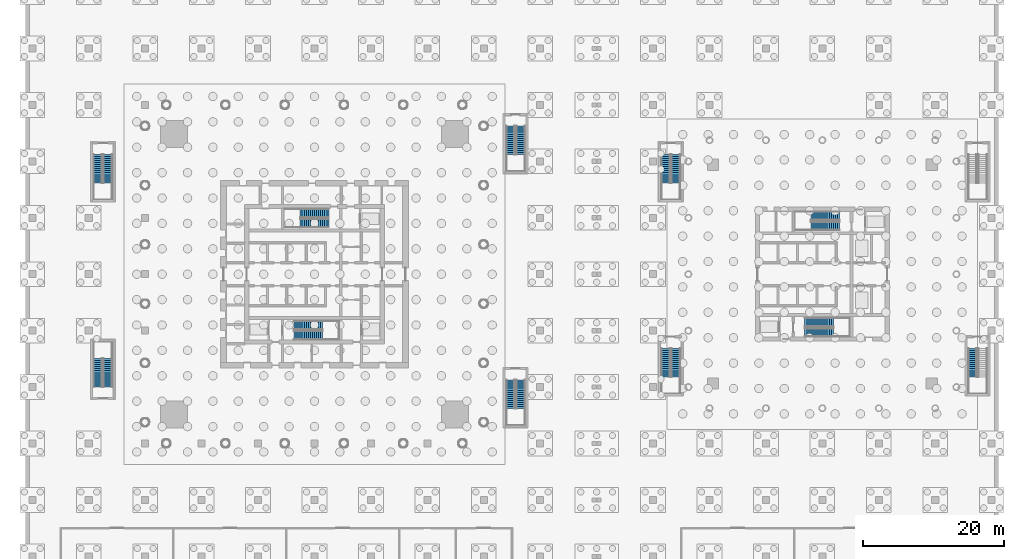
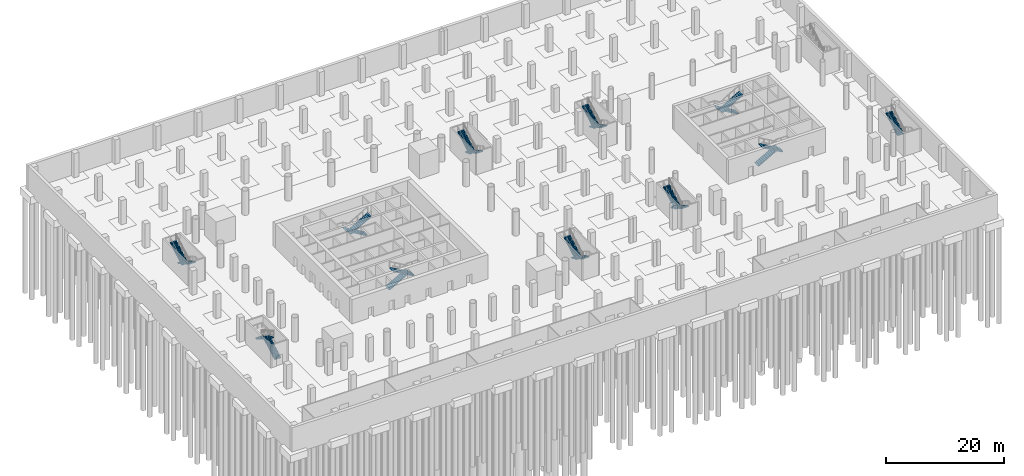
# One storey, part 19 of 24: 21 stair flights, 11 elements without a shape of their own.
"""IFC4 building model written with IfcOpenShell, lengths in metres."""

from ifc_helpers import new_model, si_unit, direction, frame, origin, place, context, subcontext, project, spatial, polyline, outline, extrude, material, type_object, element, aggregate, save


model = new_model("IFC4")

# Units and contexts
model_context = context("Model", 3, precision=1e-05, world=origin(), true_north=direction((0.0, 1.0)))
body_context = subcontext(model_context, "Body", "Model", "MODEL_VIEW")
ifc_project = project(units=[si_unit("LENGTHUNIT", "METRE"), si_unit("AREAUNIT", "SQUARE_METRE"), si_unit("VOLUMEUNIT", "CUBIC_METRE"), si_unit("PLANEANGLEUNIT", "RADIAN"), si_unit("MASSUNIT", "GRAM", prefix="KILO")], contexts=[model_context])

# Site, building, storey
site_placement = place(None, origin())
site = spatial("IfcSite", under=ifc_project, at=site_placement, CompositionType="ELEMENT")
building_placement = place(site_placement, origin())
building = spatial("IfcBuilding", under=site, at=building_placement, Name="Ostroluk Exchange", CompositionType="ELEMENT")
storey_placement = place(building_placement, frame((0.0, 0.0, -10.0)))
storey = spatial("IfcBuildingStorey", under=building, at=storey_placement, Name="B2", CompositionType="ELEMENT", Elevation=-10.0)

# Stair, stair flights
ifc_material_1 = material(Name="Concrete C30/37", Category="concrete")
stair_type = type_object("IfcStairType", Name="Exit stair half turn 5000", PredefinedType="HALF_TURN_STAIR", material=ifc_material_1)
stair_1_placement = place(storey_placement, origin())
stair_1 = element("IfcStair", 1, at=stair_1_placement, inside=storey, type_object=stair_type, Name="Stair T1-S1 B2", PredefinedType="HALF_TURN_STAIR")
ifc_material_2 = material(Name="Concrete C30/37", Category="concrete")
stair_flight_type = type_object("IfcStairFlightType", Name="Stair flight 15 risers 166.7 x 290", PredefinedType="STRAIGHT", material=ifc_material_2)
stair_flight_1_placement = place(storey_placement, frame((42.10009765625, 38.77490234375, 0.0), z_axis=(0.0, 0.0, 1.0), x_axis=(1.0, 0.0, 0.0)))
stair_flight_1 = element("IfcStairFlight", 2, at=stair_flight_1_placement, type_object=stair_flight_type, Name="T1-S1 flight 1", NumberOfRisers=15, NumberOfTreads=14, PredefinedType="STRAIGHT", RiserHeight=0.166666667, TreadLength=0.29, context=body_context, shape_type="SweptSolid", body=[
    extrude(outline(polyline([(0.0, 0.0), (0.0, 0.166748046875), (0.2900390625, 0.166748046875), (0.2900390625, 0.333251953125), (0.580078125, 0.333251953125), (0.580078125, 0.5), (0.8701171875, 0.5), (0.8701171875, 0.666748046875), (1.159912109375, 0.666748046875), (1.159912109375, 0.833251953125), (1.449951171875, 0.833251953125), (1.449951171875, 1.0), (1.739990234375, 1.0), (1.739990234375, 1.166748046875), (2.030029296875, 1.166748046875), (2.030029296875, 1.333251953125), (2.320068359375, 1.333251953125), (2.320068359375, 1.5), (2.610107421875, 1.5), (2.610107421875, 1.666748046875), (2.89990234375, 1.666748046875), (2.89990234375, 1.833251953125), (3.18994140625, 1.833251953125), (3.18994140625, 2.0), (3.47998046875, 2.0), (3.47998046875, 2.166748046875), (3.77001953125, 2.166748046875), (3.77001953125, 2.333251953125), (4.06005859375, 2.333251953125), (4.06005859375, 2.5), (4.06005859375, 2.160400390625), (0.30078125, 0.0), (0.0, 0.0)])), frame((0.0, 0.625, 0.0), z_axis=(0.0, -1.0, 0.0), x_axis=(1.0, 0.0, 0.0)), (0.0, 0.0, 1.0), 1.25),
])
stair_flight_2_placement = place(storey_placement, frame((46.159912109375, 37.324951171875, 2.5), z_axis=(0.0, 0.0, 1.0), x_axis=(-1.0, 0.0, 0.0)))
stair_flight_2 = element("IfcStairFlight", 3, at=stair_flight_2_placement, type_object=stair_flight_type, Name="T1-S1 flight 2", NumberOfRisers=15, NumberOfTreads=14, PredefinedType="STRAIGHT", RiserHeight=0.166666667, TreadLength=0.29, context=body_context, shape_type="SweptSolid", body=[
    extrude(outline(polyline([(0.0, 0.0), (0.0, 0.166748046875), (0.2900390625, 0.166748046875), (0.2900390625, 0.333251953125), (0.580078125, 0.333251953125), (0.580078125, 0.5), (0.8701171875, 0.5), (0.8701171875, 0.666748046875), (1.159912109375, 0.666748046875), (1.159912109375, 0.833251953125), (1.449951171875, 0.833251953125), (1.449951171875, 1.0), (1.739990234375, 1.0), (1.739990234375, 1.166748046875), (2.030029296875, 1.166748046875), (2.030029296875, 1.333251953125), (2.320068359375, 1.333251953125), (2.320068359375, 1.5), (2.610107421875, 1.5), (2.610107421875, 1.666748046875), (2.89990234375, 1.666748046875), (2.89990234375, 1.833251953125), (3.18994140625, 1.833251953125), (3.18994140625, 2.0), (3.47998046875, 2.0), (3.47998046875, 2.166748046875), (3.77001953125, 2.166748046875), (3.77001953125, 2.333251953125), (4.06005859375, 2.333251953125), (4.06005859375, 2.5), (4.06005859375, 2.160400390625), (0.30078125, 0.0), (0.0, 0.0)])), frame((0.0, 0.625, 0.0), z_axis=(0.0, -1.0, 0.0), x_axis=(1.0, 0.0, 0.0)), (0.0, 0.0, 1.0), 1.25),
])
aggregate(stair_1, [stair_flight_1, stair_flight_2])

stair_2_placement = place(storey_placement, origin())
stair_2 = element("IfcStair", 4, at=stair_2_placement, inside=storey, type_object=stair_type, Name="Stair T1-S2 B2", PredefinedType="HALF_TURN_STAIR")
stair_flight_3_placement = place(storey_placement, frame((47.030029296875, 54.675048828125, 0.0), z_axis=(0.0, 0.0, 1.0), x_axis=(-1.0, 0.0, 0.0)))
stair_flight_3 = element("IfcStairFlight", 5, at=stair_flight_3_placement, type_object=stair_flight_type, Name="T1-S2 flight 1", NumberOfRisers=15, NumberOfTreads=14, PredefinedType="STRAIGHT", RiserHeight=0.166666667, TreadLength=0.29, context=body_context, shape_type="SweptSolid", body=[
    extrude(outline(polyline([(0.0, 0.0), (0.0, 0.166748046875), (0.2900390625, 0.166748046875), (0.2900390625, 0.333251953125), (0.580078125, 0.333251953125), (0.580078125, 0.5), (0.8701171875, 0.5), (0.8701171875, 0.666748046875), (1.159912109375, 0.666748046875), (1.159912109375, 0.833251953125), (1.449951171875, 0.833251953125), (1.449951171875, 1.0), (1.739990234375, 1.0), (1.739990234375, 1.166748046875), (2.030029296875, 1.166748046875), (2.030029296875, 1.333251953125), (2.320068359375, 1.333251953125), (2.320068359375, 1.5), (2.610107421875, 1.5), (2.610107421875, 1.666748046875), (2.89990234375, 1.666748046875), (2.89990234375, 1.833251953125), (3.18994140625, 1.833251953125), (3.18994140625, 2.0), (3.47998046875, 2.0), (3.47998046875, 2.166748046875), (3.77001953125, 2.166748046875), (3.77001953125, 2.333251953125), (4.06005859375, 2.333251953125), (4.06005859375, 2.5), (4.06005859375, 2.160400390625), (0.30078125, 0.0), (0.0, 0.0)])), frame((0.0, 0.625, 0.0), z_axis=(0.0, -1.0, 0.0), x_axis=(1.0, 0.0, 0.0)), (0.0, 0.0, 1.0), 1.25),
])
stair_flight_4_placement = place(storey_placement, frame((42.969970703125, 53.22509765625, 2.5), z_axis=(0.0, 0.0, 1.0), x_axis=(1.0, 0.0, 0.0)))
stair_flight_4 = element("IfcStairFlight", 6, at=stair_flight_4_placement, type_object=stair_flight_type, Name="T1-S2 flight 2", NumberOfRisers=15, NumberOfTreads=14, PredefinedType="STRAIGHT", RiserHeight=0.166666667, TreadLength=0.29, context=body_context, shape_type="SweptSolid", body=[
    extrude(outline(polyline([(0.0, 0.0), (0.0, 0.166748046875), (0.2900390625, 0.166748046875), (0.2900390625, 0.333251953125), (0.580078125, 0.333251953125), (0.580078125, 0.5), (0.8701171875, 0.5), (0.8701171875, 0.666748046875), (1.159912109375, 0.666748046875), (1.159912109375, 0.833251953125), (1.449951171875, 0.833251953125), (1.449951171875, 1.0), (1.739990234375, 1.0), (1.739990234375, 1.166748046875), (2.030029296875, 1.166748046875), (2.030029296875, 1.333251953125), (2.320068359375, 1.333251953125), (2.320068359375, 1.5), (2.610107421875, 1.5), (2.610107421875, 1.666748046875), (2.89990234375, 1.666748046875), (2.89990234375, 1.833251953125), (3.18994140625, 1.833251953125), (3.18994140625, 2.0), (3.47998046875, 2.0), (3.47998046875, 2.166748046875), (3.77001953125, 2.166748046875), (3.77001953125, 2.333251953125), (4.06005859375, 2.333251953125), (4.06005859375, 2.5), (4.06005859375, 2.160400390625), (0.30078125, 0.0), (0.0, 0.0)])), frame((0.0, 0.625, 0.0), z_axis=(0.0, -1.0, 0.0), x_axis=(1.0, 0.0, 0.0)), (0.0, 0.0, 1.0), 1.25),
])
aggregate(stair_2, [stair_flight_3, stair_flight_4])

stair_3_placement = place(storey_placement, origin())
stair_3 = element("IfcStair", 7, at=stair_3_placement, inside=storey, type_object=stair_type, Name="Stair T2-S1 B2", PredefinedType="HALF_TURN_STAIR")
stair_flight_5_placement = place(storey_placement, frame((114.5, 39.175048828125, 0.0), z_axis=(0.0, 0.0, 1.0), x_axis=(1.0, 0.0, 0.0)))
stair_flight_5 = element("IfcStairFlight", 8, at=stair_flight_5_placement, type_object=stair_flight_type, Name="T2-S1 flight 1", NumberOfRisers=15, NumberOfTreads=14, PredefinedType="STRAIGHT", RiserHeight=0.166666667, TreadLength=0.29, context=body_context, shape_type="SweptSolid", body=[
    extrude(outline(polyline([(0.0, 0.0), (0.0, 0.166748046875), (0.2900390625, 0.166748046875), (0.2900390625, 0.333251953125), (0.580078125, 0.333251953125), (0.580078125, 0.5), (0.8701171875, 0.5), (0.8701171875, 0.666748046875), (1.159912109375, 0.666748046875), (1.159912109375, 0.833251953125), (1.449951171875, 0.833251953125), (1.449951171875, 1.0), (1.739990234375, 1.0), (1.739990234375, 1.166748046875), (2.030029296875, 1.166748046875), (2.030029296875, 1.333251953125), (2.320068359375, 1.333251953125), (2.320068359375, 1.5), (2.610107421875, 1.5), (2.610107421875, 1.666748046875), (2.89990234375, 1.666748046875), (2.89990234375, 1.833251953125), (3.18994140625, 1.833251953125), (3.18994140625, 2.0), (3.47998046875, 2.0), (3.47998046875, 2.166748046875), (3.77001953125, 2.166748046875), (3.77001953125, 2.333251953125), (4.06005859375, 2.333251953125), (4.06005859375, 2.5), (4.06005859375, 2.160400390625), (0.30078125, 0.0), (0.0, 0.0)])), frame((0.0, 0.625, 0.0), z_axis=(0.0, -1.0, 0.0), x_axis=(1.0, 0.0, 0.0)), (0.0, 0.0, 1.0), 1.25),
])
stair_flight_6_placement = place(storey_placement, frame((118.56005859375, 37.72509765625, 2.5), z_axis=(0.0, 0.0, 1.0), x_axis=(-1.0, 0.0, 0.0)))
stair_flight_6 = element("IfcStairFlight", 9, at=stair_flight_6_placement, type_object=stair_flight_type, Name="T2-S1 flight 2", NumberOfRisers=15, NumberOfTreads=14, PredefinedType="STRAIGHT", RiserHeight=0.166666667, TreadLength=0.29, context=body_context, shape_type="SweptSolid", body=[
    extrude(outline(polyline([(0.0, 0.0), (0.0, 0.166748046875), (0.2900390625, 0.166748046875), (0.2900390625, 0.333251953125), (0.580078125, 0.333251953125), (0.580078125, 0.5), (0.8701171875, 0.5), (0.8701171875, 0.666748046875), (1.159912109375, 0.666748046875), (1.159912109375, 0.833251953125), (1.449951171875, 0.833251953125), (1.449951171875, 1.0), (1.739990234375, 1.0), (1.739990234375, 1.166748046875), (2.030029296875, 1.166748046875), (2.030029296875, 1.333251953125), (2.320068359375, 1.333251953125), (2.320068359375, 1.5), (2.610107421875, 1.5), (2.610107421875, 1.666748046875), (2.89990234375, 1.666748046875), (2.89990234375, 1.833251953125), (3.18994140625, 1.833251953125), (3.18994140625, 2.0), (3.47998046875, 2.0), (3.47998046875, 2.166748046875), (3.77001953125, 2.166748046875), (3.77001953125, 2.333251953125), (4.06005859375, 2.333251953125), (4.06005859375, 2.5), (4.06005859375, 2.160400390625), (0.30078125, 0.0), (0.0, 0.0)])), frame((0.0, 0.625, 0.0), z_axis=(0.0, -1.0, 0.0), x_axis=(1.0, 0.0, 0.0)), (0.0, 0.0, 1.0), 1.25),
])
aggregate(stair_3, [stair_flight_5, stair_flight_6])

stair_4_placement = place(storey_placement, origin())
stair_4 = element("IfcStair", 10, at=stair_4_placement, inside=storey, type_object=stair_type, Name="Stair T2-S2 B2", PredefinedType="HALF_TURN_STAIR")
stair_flight_7_placement = place(storey_placement, frame((119.429931640625, 54.27490234375, 0.0), z_axis=(0.0, 0.0, 1.0), x_axis=(-1.0, 0.0, 0.0)))
stair_flight_7 = element("IfcStairFlight", 11, at=stair_flight_7_placement, type_object=stair_flight_type, Name="T2-S2 flight 1", NumberOfRisers=15, NumberOfTreads=14, PredefinedType="STRAIGHT", RiserHeight=0.166666667, TreadLength=0.29, context=body_context, shape_type="SweptSolid", body=[
    extrude(outline(polyline([(0.0, 0.0), (0.0, 0.166748046875), (0.2900390625, 0.166748046875), (0.2900390625, 0.333251953125), (0.580078125, 0.333251953125), (0.580078125, 0.5), (0.8701171875, 0.5), (0.8701171875, 0.666748046875), (1.159912109375, 0.666748046875), (1.159912109375, 0.833251953125), (1.449951171875, 0.833251953125), (1.449951171875, 1.0), (1.739990234375, 1.0), (1.739990234375, 1.166748046875), (2.030029296875, 1.166748046875), (2.030029296875, 1.333251953125), (2.320068359375, 1.333251953125), (2.320068359375, 1.5), (2.610107421875, 1.5), (2.610107421875, 1.666748046875), (2.89990234375, 1.666748046875), (2.89990234375, 1.833251953125), (3.18994140625, 1.833251953125), (3.18994140625, 2.0), (3.47998046875, 2.0), (3.47998046875, 2.166748046875), (3.77001953125, 2.166748046875), (3.77001953125, 2.333251953125), (4.06005859375, 2.333251953125), (4.06005859375, 2.5), (4.06005859375, 2.160400390625), (0.30078125, 0.0), (0.0, 0.0)])), frame((0.0, 0.625, 0.0), z_axis=(0.0, -1.0, 0.0), x_axis=(1.0, 0.0, 0.0)), (0.0, 0.0, 1.0), 1.25),
])
stair_flight_8_placement = place(storey_placement, frame((115.3701171875, 52.824951171875, 2.5), z_axis=(0.0, 0.0, 1.0), x_axis=(1.0, 0.0, 0.0)))
stair_flight_8 = element("IfcStairFlight", 12, at=stair_flight_8_placement, type_object=stair_flight_type, Name="T2-S2 flight 2", NumberOfRisers=15, NumberOfTreads=14, PredefinedType="STRAIGHT", RiserHeight=0.166666667, TreadLength=0.29, context=body_context, shape_type="SweptSolid", body=[
    extrude(outline(polyline([(0.0, 0.0), (0.0, 0.166748046875), (0.2900390625, 0.166748046875), (0.2900390625, 0.333251953125), (0.580078125, 0.333251953125), (0.580078125, 0.5), (0.8701171875, 0.5), (0.8701171875, 0.666748046875), (1.159912109375, 0.666748046875), (1.159912109375, 0.833251953125), (1.449951171875, 0.833251953125), (1.449951171875, 1.0), (1.739990234375, 1.0), (1.739990234375, 1.166748046875), (2.030029296875, 1.166748046875), (2.030029296875, 1.333251953125), (2.320068359375, 1.333251953125), (2.320068359375, 1.5), (2.610107421875, 1.5), (2.610107421875, 1.666748046875), (2.89990234375, 1.666748046875), (2.89990234375, 1.833251953125), (3.18994140625, 1.833251953125), (3.18994140625, 2.0), (3.47998046875, 2.0), (3.47998046875, 2.166748046875), (3.77001953125, 2.166748046875), (3.77001953125, 2.333251953125), (4.06005859375, 2.333251953125), (4.06005859375, 2.5), (4.06005859375, 2.160400390625), (0.30078125, 0.0), (0.0, 0.0)])), frame((0.0, 0.625, 0.0), z_axis=(0.0, -1.0, 0.0), x_axis=(1.0, 0.0, 0.0)), (0.0, 0.0, 1.0), 1.25),
])
aggregate(stair_4, [stair_flight_7, stair_flight_8])

stair_5_placement = place(storey_placement, origin())
stair_5 = element("IfcStair", 13, at=stair_5_placement, inside=storey, type_object=stair_type, Name="Stair PS1 B2", PredefinedType="HALF_TURN_STAIR")
stair_flight_9_placement = place(storey_placement, frame((15.72509765625, 30.0, 0.0), z_axis=(0.0, 0.0, 1.0), x_axis=(0.0, 1.0, 0.0)))
stair_flight_9 = element("IfcStairFlight", 14, at=stair_flight_9_placement, type_object=stair_flight_type, Name="PS1 flight 1", NumberOfRisers=15, NumberOfTreads=14, PredefinedType="STRAIGHT", RiserHeight=0.166666667, TreadLength=0.29, context=body_context, shape_type="SweptSolid", body=[
    extrude(outline(polyline([(0.0, 0.0), (0.0, 0.166748046875), (0.2900390625, 0.166748046875), (0.2900390625, 0.333251953125), (0.580078125, 0.333251953125), (0.580078125, 0.5), (0.8701171875, 0.5), (0.8701171875, 0.666748046875), (1.159912109375, 0.666748046875), (1.159912109375, 0.833251953125), (1.449951171875, 0.833251953125), (1.449951171875, 1.0), (1.739990234375, 1.0), (1.739990234375, 1.166748046875), (2.030029296875, 1.166748046875), (2.030029296875, 1.333251953125), (2.320068359375, 1.333251953125), (2.320068359375, 1.5), (2.610107421875, 1.5), (2.610107421875, 1.666748046875), (2.89990234375, 1.666748046875), (2.89990234375, 1.833251953125), (3.18994140625, 1.833251953125), (3.18994140625, 2.0), (3.47998046875, 2.0), (3.47998046875, 2.166748046875), (3.77001953125, 2.166748046875), (3.77001953125, 2.333251953125), (4.06005859375, 2.333251953125), (4.06005859375, 2.5), (4.06005859375, 2.160400390625), (0.30078125, 0.0), (0.0, 0.0)])), frame((0.0, 0.625, 0.0), z_axis=(0.0, -1.0, 0.0), x_axis=(1.0, 0.0, 0.0)), (0.0, 0.0, 1.0), 1.25),
])
stair_flight_10_placement = place(storey_placement, frame((14.27490234375, 34.06005859375, 2.5), z_axis=(0.0, 0.0, 1.0), x_axis=(0.0, -1.0, 0.0)))
stair_flight_10 = element("IfcStairFlight", 15, at=stair_flight_10_placement, type_object=stair_flight_type, Name="PS1 flight 2", NumberOfRisers=15, NumberOfTreads=14, PredefinedType="STRAIGHT", RiserHeight=0.166666667, TreadLength=0.29, context=body_context, shape_type="SweptSolid", body=[
    extrude(outline(polyline([(0.0, 0.0), (0.0, 0.166748046875), (0.2900390625, 0.166748046875), (0.2900390625, 0.333251953125), (0.580078125, 0.333251953125), (0.580078125, 0.5), (0.8701171875, 0.5), (0.8701171875, 0.666748046875), (1.159912109375, 0.666748046875), (1.159912109375, 0.833251953125), (1.449951171875, 0.833251953125), (1.449951171875, 1.0), (1.739990234375, 1.0), (1.739990234375, 1.166748046875), (2.030029296875, 1.166748046875), (2.030029296875, 1.333251953125), (2.320068359375, 1.333251953125), (2.320068359375, 1.5), (2.610107421875, 1.5), (2.610107421875, 1.666748046875), (2.89990234375, 1.666748046875), (2.89990234375, 1.833251953125), (3.18994140625, 1.833251953125), (3.18994140625, 2.0), (3.47998046875, 2.0), (3.47998046875, 2.166748046875), (3.77001953125, 2.166748046875), (3.77001953125, 2.333251953125), (4.06005859375, 2.333251953125), (4.06005859375, 2.5), (4.06005859375, 2.160400390625), (0.30078125, 0.0), (0.0, 0.0)])), frame((0.0, 0.625, 0.0), z_axis=(0.0, -1.0, 0.0), x_axis=(1.0, 0.0, 0.0)), (0.0, 0.0, 1.0), 1.25),
])
aggregate(stair_5, [stair_flight_9, stair_flight_10])

stair_6_placement = place(storey_placement, origin())
stair_6 = element("IfcStair", 16, at=stair_6_placement, inside=storey, type_object=stair_type, Name="Stair PS2 B2", PredefinedType="HALF_TURN_STAIR")
stair_flight_11_placement = place(storey_placement, frame((15.72509765625, 63.0, 0.0), z_axis=(0.0, 0.0, 1.0), x_axis=(0.0, -1.0, 0.0)))
stair_flight_11 = element("IfcStairFlight", 17, at=stair_flight_11_placement, type_object=stair_flight_type, Name="PS2 flight 1", NumberOfRisers=15, NumberOfTreads=14, PredefinedType="STRAIGHT", RiserHeight=0.166666667, TreadLength=0.29, context=body_context, shape_type="SweptSolid", body=[
    extrude(outline(polyline([(0.0, 0.0), (0.0, 0.166748046875), (0.2900390625, 0.166748046875), (0.2900390625, 0.333251953125), (0.580078125, 0.333251953125), (0.580078125, 0.5), (0.8701171875, 0.5), (0.8701171875, 0.666748046875), (1.159912109375, 0.666748046875), (1.159912109375, 0.833251953125), (1.449951171875, 0.833251953125), (1.449951171875, 1.0), (1.739990234375, 1.0), (1.739990234375, 1.166748046875), (2.030029296875, 1.166748046875), (2.030029296875, 1.333251953125), (2.320068359375, 1.333251953125), (2.320068359375, 1.5), (2.610107421875, 1.5), (2.610107421875, 1.666748046875), (2.89990234375, 1.666748046875), (2.89990234375, 1.833251953125), (3.18994140625, 1.833251953125), (3.18994140625, 2.0), (3.47998046875, 2.0), (3.47998046875, 2.166748046875), (3.77001953125, 2.166748046875), (3.77001953125, 2.333251953125), (4.06005859375, 2.333251953125), (4.06005859375, 2.5), (4.06005859375, 2.160400390625), (0.30078125, 0.0), (0.0, 0.0)])), frame((0.0, 0.625, 0.0), z_axis=(0.0, -1.0, 0.0), x_axis=(1.0, 0.0, 0.0)), (0.0, 0.0, 1.0), 1.25),
])
stair_flight_12_placement = place(storey_placement, frame((14.27490234375, 58.93994140625, 2.5), z_axis=(0.0, 0.0, 1.0), x_axis=(0.0, 1.0, 0.0)))
stair_flight_12 = element("IfcStairFlight", 18, at=stair_flight_12_placement, type_object=stair_flight_type, Name="PS2 flight 2", NumberOfRisers=15, NumberOfTreads=14, PredefinedType="STRAIGHT", RiserHeight=0.166666667, TreadLength=0.29, context=body_context, shape_type="SweptSolid", body=[
    extrude(outline(polyline([(0.0, 0.0), (0.0, 0.166748046875), (0.2900390625, 0.166748046875), (0.2900390625, 0.333251953125), (0.580078125, 0.333251953125), (0.580078125, 0.5), (0.8701171875, 0.5), (0.8701171875, 0.666748046875), (1.159912109375, 0.666748046875), (1.159912109375, 0.833251953125), (1.449951171875, 0.833251953125), (1.449951171875, 1.0), (1.739990234375, 1.0), (1.739990234375, 1.166748046875), (2.030029296875, 1.166748046875), (2.030029296875, 1.333251953125), (2.320068359375, 1.333251953125), (2.320068359375, 1.5), (2.610107421875, 1.5), (2.610107421875, 1.666748046875), (2.89990234375, 1.666748046875), (2.89990234375, 1.833251953125), (3.18994140625, 1.833251953125), (3.18994140625, 2.0), (3.47998046875, 2.0), (3.47998046875, 2.166748046875), (3.77001953125, 2.166748046875), (3.77001953125, 2.333251953125), (4.06005859375, 2.333251953125), (4.06005859375, 2.5), (4.06005859375, 2.160400390625), (0.30078125, 0.0), (0.0, 0.0)])), frame((0.0, 0.625, 0.0), z_axis=(0.0, -1.0, 0.0), x_axis=(1.0, 0.0, 0.0)), (0.0, 0.0, 1.0), 1.25),
])
aggregate(stair_6, [stair_flight_11, stair_flight_12])

stair_7_placement = place(storey_placement, origin())
stair_7 = element("IfcStair", 19, at=stair_7_placement, inside=storey, type_object=stair_type, Name="Stair PS3 B2", PredefinedType="HALF_TURN_STAIR")
stair_flight_13_placement = place(storey_placement, frame((74.22509765625, 31.0, 0.0), z_axis=(0.0, 0.0, 1.0), x_axis=(0.0, -1.0, 0.0)))
stair_flight_13 = element("IfcStairFlight", 20, at=stair_flight_13_placement, type_object=stair_flight_type, Name="PS3 flight 1", NumberOfRisers=15, NumberOfTreads=14, PredefinedType="STRAIGHT", RiserHeight=0.166666667, TreadLength=0.29, context=body_context, shape_type="SweptSolid", body=[
    extrude(outline(polyline([(0.0, 0.0), (0.0, 0.166748046875), (0.2900390625, 0.166748046875), (0.2900390625, 0.333251953125), (0.580078125, 0.333251953125), (0.580078125, 0.5), (0.8701171875, 0.5), (0.8701171875, 0.666748046875), (1.159912109375, 0.666748046875), (1.159912109375, 0.833251953125), (1.449951171875, 0.833251953125), (1.449951171875, 1.0), (1.739990234375, 1.0), (1.739990234375, 1.166748046875), (2.030029296875, 1.166748046875), (2.030029296875, 1.333251953125), (2.320068359375, 1.333251953125), (2.320068359375, 1.5), (2.610107421875, 1.5), (2.610107421875, 1.666748046875), (2.89990234375, 1.666748046875), (2.89990234375, 1.833251953125), (3.18994140625, 1.833251953125), (3.18994140625, 2.0), (3.47998046875, 2.0), (3.47998046875, 2.166748046875), (3.77001953125, 2.166748046875), (3.77001953125, 2.333251953125), (4.06005859375, 2.333251953125), (4.06005859375, 2.5), (4.06005859375, 2.160400390625), (0.30078125, 0.0), (0.0, 0.0)])), frame((0.0, 0.625, 0.0), z_axis=(0.0, -1.0, 0.0), x_axis=(1.0, 0.0, 0.0)), (0.0, 0.0, 1.0), 1.25),
])
stair_flight_14_placement = place(storey_placement, frame((72.77490234375, 26.93994140625, 2.5), z_axis=(0.0, 0.0, 1.0), x_axis=(0.0, 1.0, 0.0)))
stair_flight_14 = element("IfcStairFlight", 21, at=stair_flight_14_placement, type_object=stair_flight_type, Name="PS3 flight 2", NumberOfRisers=15, NumberOfTreads=14, PredefinedType="STRAIGHT", RiserHeight=0.166666667, TreadLength=0.29, context=body_context, shape_type="SweptSolid", body=[
    extrude(outline(polyline([(0.0, 0.0), (0.0, 0.166748046875), (0.2900390625, 0.166748046875), (0.2900390625, 0.333251953125), (0.580078125, 0.333251953125), (0.580078125, 0.5), (0.8701171875, 0.5), (0.8701171875, 0.666748046875), (1.159912109375, 0.666748046875), (1.159912109375, 0.833251953125), (1.449951171875, 0.833251953125), (1.449951171875, 1.0), (1.739990234375, 1.0), (1.739990234375, 1.166748046875), (2.030029296875, 1.166748046875), (2.030029296875, 1.333251953125), (2.320068359375, 1.333251953125), (2.320068359375, 1.5), (2.610107421875, 1.5), (2.610107421875, 1.666748046875), (2.89990234375, 1.666748046875), (2.89990234375, 1.833251953125), (3.18994140625, 1.833251953125), (3.18994140625, 2.0), (3.47998046875, 2.0), (3.47998046875, 2.166748046875), (3.77001953125, 2.166748046875), (3.77001953125, 2.333251953125), (4.06005859375, 2.333251953125), (4.06005859375, 2.5), (4.06005859375, 2.160400390625), (0.30078125, 0.0), (0.0, 0.0)])), frame((0.0, 0.625, 0.0), z_axis=(0.0, -1.0, 0.0), x_axis=(1.0, 0.0, 0.0)), (0.0, 0.0, 1.0), 1.25),
])
aggregate(stair_7, [stair_flight_13, stair_flight_14])

stair_8_placement = place(storey_placement, origin())
stair_8 = element("IfcStair", 22, at=stair_8_placement, inside=storey, type_object=stair_type, Name="Stair PS4 B2", PredefinedType="HALF_TURN_STAIR")
stair_flight_15_placement = place(storey_placement, frame((74.22509765625, 67.0, 0.0), z_axis=(0.0, 0.0, 1.0), x_axis=(0.0, -1.0, 0.0)))
stair_flight_15 = element("IfcStairFlight", 23, at=stair_flight_15_placement, type_object=stair_flight_type, Name="PS4 flight 1", NumberOfRisers=15, NumberOfTreads=14, PredefinedType="STRAIGHT", RiserHeight=0.166666667, TreadLength=0.29, context=body_context, shape_type="SweptSolid", body=[
    extrude(outline(polyline([(0.0, 0.0), (0.0, 0.166748046875), (0.2900390625, 0.166748046875), (0.2900390625, 0.333251953125), (0.580078125, 0.333251953125), (0.580078125, 0.5), (0.8701171875, 0.5), (0.8701171875, 0.666748046875), (1.159912109375, 0.666748046875), (1.159912109375, 0.833251953125), (1.449951171875, 0.833251953125), (1.449951171875, 1.0), (1.739990234375, 1.0), (1.739990234375, 1.166748046875), (2.030029296875, 1.166748046875), (2.030029296875, 1.333251953125), (2.320068359375, 1.333251953125), (2.320068359375, 1.5), (2.610107421875, 1.5), (2.610107421875, 1.666748046875), (2.89990234375, 1.666748046875), (2.89990234375, 1.833251953125), (3.18994140625, 1.833251953125), (3.18994140625, 2.0), (3.47998046875, 2.0), (3.47998046875, 2.166748046875), (3.77001953125, 2.166748046875), (3.77001953125, 2.333251953125), (4.06005859375, 2.333251953125), (4.06005859375, 2.5), (4.06005859375, 2.160400390625), (0.30078125, 0.0), (0.0, 0.0)])), frame((0.0, 0.625, 0.0), z_axis=(0.0, -1.0, 0.0), x_axis=(1.0, 0.0, 0.0)), (0.0, 0.0, 1.0), 1.25),
])
stair_flight_16_placement = place(storey_placement, frame((72.77490234375, 62.93994140625, 2.5), z_axis=(0.0, 0.0, 1.0), x_axis=(0.0, 1.0, 0.0)))
stair_flight_16 = element("IfcStairFlight", 24, at=stair_flight_16_placement, type_object=stair_flight_type, Name="PS4 flight 2", NumberOfRisers=15, NumberOfTreads=14, PredefinedType="STRAIGHT", RiserHeight=0.166666667, TreadLength=0.29, context=body_context, shape_type="SweptSolid", body=[
    extrude(outline(polyline([(0.0, 0.0), (0.0, 0.166748046875), (0.2900390625, 0.166748046875), (0.2900390625, 0.333251953125), (0.580078125, 0.333251953125), (0.580078125, 0.5), (0.8701171875, 0.5), (0.8701171875, 0.666748046875), (1.159912109375, 0.666748046875), (1.159912109375, 0.833251953125), (1.449951171875, 0.833251953125), (1.449951171875, 1.0), (1.739990234375, 1.0), (1.739990234375, 1.166748046875), (2.030029296875, 1.166748046875), (2.030029296875, 1.333251953125), (2.320068359375, 1.333251953125), (2.320068359375, 1.5), (2.610107421875, 1.5), (2.610107421875, 1.666748046875), (2.89990234375, 1.666748046875), (2.89990234375, 1.833251953125), (3.18994140625, 1.833251953125), (3.18994140625, 2.0), (3.47998046875, 2.0), (3.47998046875, 2.166748046875), (3.77001953125, 2.166748046875), (3.77001953125, 2.333251953125), (4.06005859375, 2.333251953125), (4.06005859375, 2.5), (4.06005859375, 2.160400390625), (0.30078125, 0.0), (0.0, 0.0)])), frame((0.0, 0.625, 0.0), z_axis=(0.0, -1.0, 0.0), x_axis=(1.0, 0.0, 0.0)), (0.0, 0.0, 1.0), 1.25),
])
aggregate(stair_8, [stair_flight_15, stair_flight_16])

stair_9_placement = place(storey_placement, origin())
stair_9 = element("IfcStair", 25, at=stair_9_placement, inside=storey, type_object=stair_type, Name="Stair PS5 B2", PredefinedType="HALF_TURN_STAIR")
stair_flight_17_placement = place(storey_placement, frame((96.22509765625, 35.5, 0.0), z_axis=(0.0, 0.0, 1.0), x_axis=(0.0, -1.0, 0.0)))
stair_flight_17 = element("IfcStairFlight", 26, at=stair_flight_17_placement, type_object=stair_flight_type, Name="PS5 flight 1", NumberOfRisers=15, NumberOfTreads=14, PredefinedType="STRAIGHT", RiserHeight=0.166666667, TreadLength=0.29, context=body_context, shape_type="SweptSolid", body=[
    extrude(outline(polyline([(0.0, 0.0), (0.0, 0.166748046875), (0.2900390625, 0.166748046875), (0.2900390625, 0.333251953125), (0.580078125, 0.333251953125), (0.580078125, 0.5), (0.8701171875, 0.5), (0.8701171875, 0.666748046875), (1.159912109375, 0.666748046875), (1.159912109375, 0.833251953125), (1.449951171875, 0.833251953125), (1.449951171875, 1.0), (1.739990234375, 1.0), (1.739990234375, 1.166748046875), (2.030029296875, 1.166748046875), (2.030029296875, 1.333251953125), (2.320068359375, 1.333251953125), (2.320068359375, 1.5), (2.610107421875, 1.5), (2.610107421875, 1.666748046875), (2.89990234375, 1.666748046875), (2.89990234375, 1.833251953125), (3.18994140625, 1.833251953125), (3.18994140625, 2.0), (3.47998046875, 2.0), (3.47998046875, 2.166748046875), (3.77001953125, 2.166748046875), (3.77001953125, 2.333251953125), (4.06005859375, 2.333251953125), (4.06005859375, 2.5), (4.06005859375, 2.160400390625), (0.30078125, 0.0), (0.0, 0.0)])), frame((0.0, 0.625, 0.0), z_axis=(0.0, -1.0, 0.0), x_axis=(1.0, 0.0, 0.0)), (0.0, 0.0, 1.0), 1.25),
])
stair_flight_18_placement = place(storey_placement, frame((94.77490234375, 31.43994140625, 2.5), z_axis=(0.0, 0.0, 1.0), x_axis=(0.0, 1.0, 0.0)))
stair_flight_18 = element("IfcStairFlight", 27, at=stair_flight_18_placement, type_object=stair_flight_type, Name="PS5 flight 2", NumberOfRisers=15, NumberOfTreads=14, PredefinedType="STRAIGHT", RiserHeight=0.166666667, TreadLength=0.29, context=body_context, shape_type="SweptSolid", body=[
    extrude(outline(polyline([(0.0, 0.0), (0.0, 0.166748046875), (0.2900390625, 0.166748046875), (0.2900390625, 0.333251953125), (0.580078125, 0.333251953125), (0.580078125, 0.5), (0.8701171875, 0.5), (0.8701171875, 0.666748046875), (1.159912109375, 0.666748046875), (1.159912109375, 0.833251953125), (1.449951171875, 0.833251953125), (1.449951171875, 1.0), (1.739990234375, 1.0), (1.739990234375, 1.166748046875), (2.030029296875, 1.166748046875), (2.030029296875, 1.333251953125), (2.320068359375, 1.333251953125), (2.320068359375, 1.5), (2.610107421875, 1.5), (2.610107421875, 1.666748046875), (2.89990234375, 1.666748046875), (2.89990234375, 1.833251953125), (3.18994140625, 1.833251953125), (3.18994140625, 2.0), (3.47998046875, 2.0), (3.47998046875, 2.166748046875), (3.77001953125, 2.166748046875), (3.77001953125, 2.333251953125), (4.06005859375, 2.333251953125), (4.06005859375, 2.5), (4.06005859375, 2.160400390625), (0.30078125, 0.0), (0.0, 0.0)])), frame((0.0, 0.625, 0.0), z_axis=(0.0, -1.0, 0.0), x_axis=(1.0, 0.0, 0.0)), (0.0, 0.0, 1.0), 1.25),
])
aggregate(stair_9, [stair_flight_17, stair_flight_18])

stair_10_placement = place(storey_placement, origin())
stair_10 = element("IfcStair", 28, at=stair_10_placement, inside=storey, type_object=stair_type, Name="Stair PS6 B2", PredefinedType="HALF_TURN_STAIR")
stair_flight_19_placement = place(storey_placement, frame((96.22509765625, 63.0, 0.0), z_axis=(0.0, 0.0, 1.0), x_axis=(0.0, -1.0, 0.0)))
stair_flight_19 = element("IfcStairFlight", 29, at=stair_flight_19_placement, type_object=stair_flight_type, Name="PS6 flight 1", NumberOfRisers=15, NumberOfTreads=14, PredefinedType="STRAIGHT", RiserHeight=0.166666667, TreadLength=0.29, context=body_context, shape_type="SweptSolid", body=[
    extrude(outline(polyline([(0.0, 0.0), (0.0, 0.166748046875), (0.2900390625, 0.166748046875), (0.2900390625, 0.333251953125), (0.580078125, 0.333251953125), (0.580078125, 0.5), (0.8701171875, 0.5), (0.8701171875, 0.666748046875), (1.159912109375, 0.666748046875), (1.159912109375, 0.833251953125), (1.449951171875, 0.833251953125), (1.449951171875, 1.0), (1.739990234375, 1.0), (1.739990234375, 1.166748046875), (2.030029296875, 1.166748046875), (2.030029296875, 1.333251953125), (2.320068359375, 1.333251953125), (2.320068359375, 1.5), (2.610107421875, 1.5), (2.610107421875, 1.666748046875), (2.89990234375, 1.666748046875), (2.89990234375, 1.833251953125), (3.18994140625, 1.833251953125), (3.18994140625, 2.0), (3.47998046875, 2.0), (3.47998046875, 2.166748046875), (3.77001953125, 2.166748046875), (3.77001953125, 2.333251953125), (4.06005859375, 2.333251953125), (4.06005859375, 2.5), (4.06005859375, 2.160400390625), (0.30078125, 0.0), (0.0, 0.0)])), frame((0.0, 0.625, 0.0), z_axis=(0.0, -1.0, 0.0), x_axis=(1.0, 0.0, 0.0)), (0.0, 0.0, 1.0), 1.25),
])
stair_flight_20_placement = place(storey_placement, frame((94.77490234375, 58.93994140625, 2.5), z_axis=(0.0, 0.0, 1.0), x_axis=(0.0, 1.0, 0.0)))
stair_flight_20 = element("IfcStairFlight", 30, at=stair_flight_20_placement, type_object=stair_flight_type, Name="PS6 flight 2", NumberOfRisers=15, NumberOfTreads=14, PredefinedType="STRAIGHT", RiserHeight=0.166666667, TreadLength=0.29, context=body_context, shape_type="SweptSolid", body=[
    extrude(outline(polyline([(0.0, 0.0), (0.0, 0.166748046875), (0.2900390625, 0.166748046875), (0.2900390625, 0.333251953125), (0.580078125, 0.333251953125), (0.580078125, 0.5), (0.8701171875, 0.5), (0.8701171875, 0.666748046875), (1.159912109375, 0.666748046875), (1.159912109375, 0.833251953125), (1.449951171875, 0.833251953125), (1.449951171875, 1.0), (1.739990234375, 1.0), (1.739990234375, 1.166748046875), (2.030029296875, 1.166748046875), (2.030029296875, 1.333251953125), (2.320068359375, 1.333251953125), (2.320068359375, 1.5), (2.610107421875, 1.5), (2.610107421875, 1.666748046875), (2.89990234375, 1.666748046875), (2.89990234375, 1.833251953125), (3.18994140625, 1.833251953125), (3.18994140625, 2.0), (3.47998046875, 2.0), (3.47998046875, 2.166748046875), (3.77001953125, 2.166748046875), (3.77001953125, 2.333251953125), (4.06005859375, 2.333251953125), (4.06005859375, 2.5), (4.06005859375, 2.160400390625), (0.30078125, 0.0), (0.0, 0.0)])), frame((0.0, 0.625, 0.0), z_axis=(0.0, -1.0, 0.0), x_axis=(1.0, 0.0, 0.0)), (0.0, 0.0, 1.0), 1.25),
])
aggregate(stair_10, [stair_flight_19, stair_flight_20])

# Stair, stair flight
stair_11_placement = place(storey_placement, origin())
stair_11 = element("IfcStair", 31, at=stair_11_placement, inside=storey, type_object=stair_type, Name="Stair PS7 B2", PredefinedType="HALF_TURN_STAIR")
stair_flight_21_placement = place(storey_placement, frame((138.27490234375, 31.43994140625, 2.5), z_axis=(0.0, 0.0, 1.0), x_axis=(0.0, 1.0, 0.0)))
stair_flight_21 = element("IfcStairFlight", 32, at=stair_flight_21_placement, type_object=stair_flight_type, Name="PS7 flight 2", NumberOfRisers=15, NumberOfTreads=14, PredefinedType="STRAIGHT", RiserHeight=0.166666667, TreadLength=0.29, context=body_context, shape_type="SweptSolid", body=[
    extrude(outline(polyline([(0.0, 0.0), (0.0, 0.166748046875), (0.2900390625, 0.166748046875), (0.2900390625, 0.333251953125), (0.580078125, 0.333251953125), (0.580078125, 0.5), (0.8701171875, 0.5), (0.8701171875, 0.666748046875), (1.159912109375, 0.666748046875), (1.159912109375, 0.833251953125), (1.449951171875, 0.833251953125), (1.449951171875, 1.0), (1.739990234375, 1.0), (1.739990234375, 1.166748046875), (2.030029296875, 1.166748046875), (2.030029296875, 1.333251953125), (2.320068359375, 1.333251953125), (2.320068359375, 1.5), (2.610107421875, 1.5), (2.610107421875, 1.666748046875), (2.89990234375, 1.666748046875), (2.89990234375, 1.833251953125), (3.18994140625, 1.833251953125), (3.18994140625, 2.0), (3.47998046875, 2.0), (3.47998046875, 2.166748046875), (3.77001953125, 2.166748046875), (3.77001953125, 2.333251953125), (4.06005859375, 2.333251953125), (4.06005859375, 2.5), (4.06005859375, 2.160400390625), (0.30078125, 0.0), (0.0, 0.0)])), frame((0.0, 0.625, 0.0), z_axis=(0.0, -1.0, 0.0), x_axis=(1.0, 0.0, 0.0)), (0.0, 0.0, 1.0), 1.25),
])
aggregate(stair_11, [stair_flight_21])

save(model, "model.ifc")
